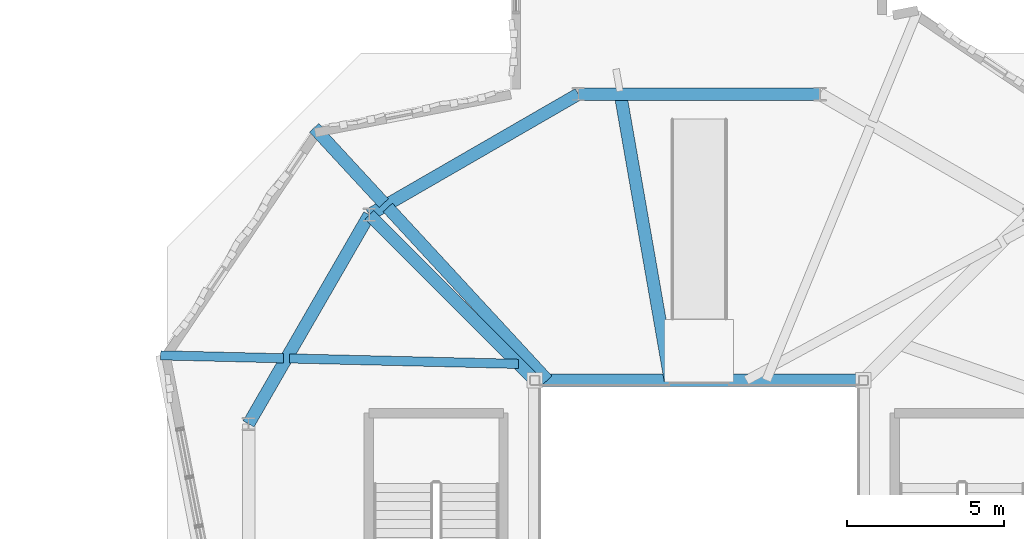
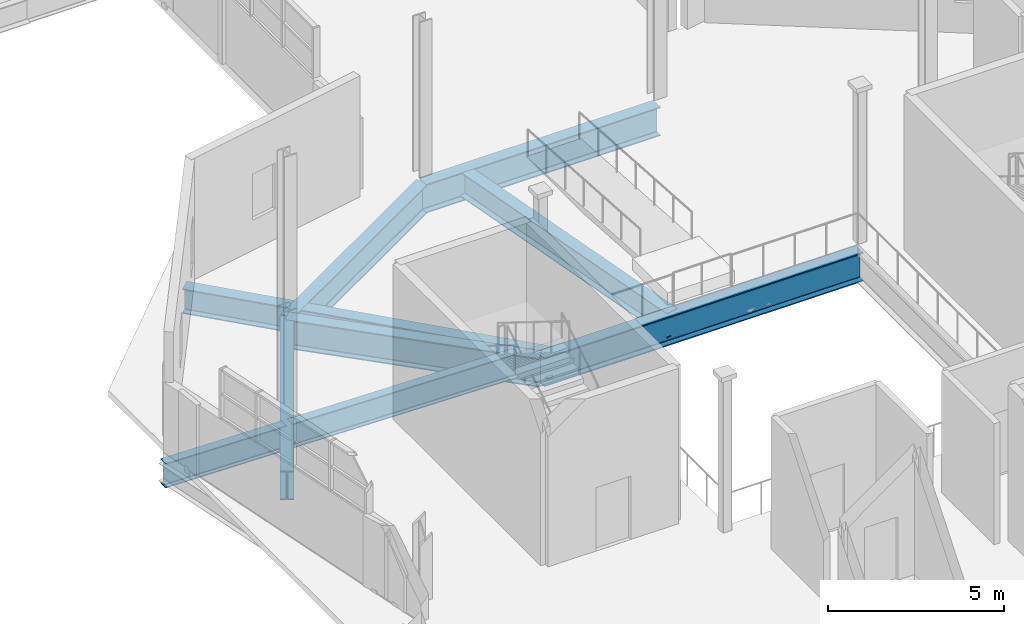
# One storey, part 41 of 142: 10 beams.
"""IFC4 building model written with IfcOpenShell, lengths in metres."""

from ifc_helpers import new_model, si_unit, direction, frame, origin, origin_2d, place, context, subcontext, project, spatial, i_section, extrude, material, material_profile, profile_set, type_object, element, save


model = new_model("IFC4")

# Units and contexts
model_context = context("Model", 3, precision=1e-05, world=origin(), true_north=direction((0.0, 1.0)))
body_context = subcontext(model_context, "Body", "Model", "MODEL_VIEW")
ifc_project = project(units=[si_unit("LENGTHUNIT", "METRE"), si_unit("AREAUNIT", "SQUARE_METRE"), si_unit("VOLUMEUNIT", "CUBIC_METRE"), si_unit("PLANEANGLEUNIT", "RADIAN"), si_unit("MASSUNIT", "GRAM", prefix="KILO"), si_unit("THERMODYNAMICTEMPERATUREUNIT", "KELVIN"), si_unit("POWERUNIT", "WATT")], contexts=[model_context])

# Site, building, storey
site_placement = place(None, origin())
site = spatial("IfcSite", under=ifc_project, at=site_placement, CompositionType="ELEMENT")
building_placement = place(site_placement, origin())
building = spatial("IfcBuilding", under=site, at=building_placement, Name="Zelmaris Science Centre", CompositionType="ELEMENT")
storey_placement = place(building_placement, frame((0.0, 0.0, 5.39990234375)))
storey = spatial("IfcBuildingStorey", under=building, at=storey_placement, Name="L01", CompositionType="ELEMENT", Elevation=5.39990234375)

# Beams
ifc_material = material(Name="Steel ASTM A992 Grade 50", Category="steel")
ifc_material_profile_1 = material_profile(ifc_material, i_section(OverallWidth=0.40087890625, OverallDepth=0.85595703125, WebThickness=0.018310546875, FlangeThickness=0.029296875, FilletRadius=0.02001953125, at=origin_2d()), Name="W33X201")
ifc_profile_set_1 = profile_set([ifc_material_profile_1], Name="Steel ASTM A992 Grade 50")
beam_type_1 = type_object("IfcBeamType", Name="Beam G-05 W33X201", PredefinedType="BEAM", material=ifc_profile_set_1)
beam_1_placement = place(storey_placement, frame((80.083251953125, 41.25, -0.727783203125), z_axis=(-0.172044420152, 0.98508919266, 0.0), x_axis=(-0.98508919266, -0.172044420152, 0.0)))
element("IfcBeam", 1, at=beam_1_placement, inside=storey, type_object=beam_type_1, Name="L01 Overhang back-span girder 8", PredefinedType="BEAM", context=body_context, shape_type="SweptSolid", body=[
    extrude(i_section(OverallWidth=0.40087890625, OverallDepth=0.85595703125, WebThickness=0.018310546875, FlangeThickness=0.029296875, FilletRadius=0.02001953125, at=origin_2d()), origin(), (0.0, 0.0, 1.0), 9.185546875),
])
ifc_material_profile_2 = material_profile(ifc_material, i_section(OverallWidth=0.294921875, OverallDepth=0.85107421875, WebThickness=0.01611328125, FlangeThickness=0.02685546875, FilletRadius=0.02001953125, at=origin_2d()), Name="W33X152")
ifc_profile_set_2 = profile_set([ifc_material_profile_2], Name="Steel ASTM A992 Grade 50")
beam_type_2 = type_object("IfcBeamType", Name="Beam G-06 W33X152", PredefinedType="BEAM", material=ifc_profile_set_2)
beam_2_placement = place(storey_placement, frame((75.226318359375, 41.773681640625, -0.725341796875), z_axis=(-0.999714552366, 0.023891709596, 0.0), x_axis=(-0.023891709596, -0.999714552366, 0.0)))
element("IfcBeam", 2, at=beam_2_placement, inside=storey, type_object=beam_type_2, Name="L01 Overhang back-span girder 10", PredefinedType="BEAM", context=body_context, shape_type="SweptSolid", body=[
    extrude(i_section(OverallWidth=0.294921875, OverallDepth=0.85107421875, WebThickness=0.01611328125, FlangeThickness=0.02685546875, FilletRadius=0.02001953125, at=origin_2d()), origin(), (0.0, 0.0, 1.0), 7.316650390625),
])
beam_3_placement = place(storey_placement, frame((67.721923828125, 41.953125, -0.725341796875), z_axis=(-0.999714448174, 0.023896068976, 0.0), x_axis=(-0.023896068976, -0.999714448174, 0.0)))
element("IfcBeam", 3, at=beam_3_placement, inside=storey, type_object=beam_type_2, Name="L01 Radial overhang girder 10", PredefinedType="BEAM", context=body_context, shape_type="SweptSolid", body=[
    extrude(i_section(OverallWidth=0.294921875, OverallDepth=0.85107421875, WebThickness=0.01611328125, FlangeThickness=0.02685546875, FilletRadius=0.02001953125, at=origin_2d()), origin(), (0.0, 0.0, 1.0), 3.92333984375),
])
ifc_material_profile_3 = material_profile(ifc_material, i_section(OverallWidth=0.40087890625, OverallDepth=1.0009765625, WebThickness=0.01904296875, FlangeThickness=0.0361328125, FilletRadius=0.02490234375, at=origin_2d()), Name="W40X249")
ifc_profile_set_3 = profile_set([ifc_material_profile_3], Name="Steel ASTM A992 Grade 50")
beam_type_3 = type_object("IfcBeamType", Name="Beam G-22 W40X249", PredefinedType="BEAM", material=ifc_profile_set_3)
for number, where, z_axis, x_axis, name in (
    (4, (84.8564453125, 50.392333984375, -0.80029296875), (-1.0, 0.0, 0.0), (0.0, -1.0, 0.0), "L01 Exhibition inner ring girder 3"),
    (5, (77.1435546875, 50.392333984375, -0.80029296875), (-0.866021648359, -0.500006504531, 0.0), (0.500006504531, -0.866021648359, 0.0), "L01 Exhibition inner ring girder 4"),
    (6, (70.464111328125, 46.535888671875, -0.80029296875), (-0.500006504531, -0.866021648359, 0.0), (0.866021648359, -0.500006504531, 0.0), "L01 Exhibition inner ring girder 5"),
):
    element("IfcBeam", number, at=place(storey_placement, frame(where, z_axis=z_axis, x_axis=x_axis)), inside=storey, type_object=beam_type_3, Name=name, PredefinedType="BEAM", context=body_context, shape_type="SweptSolid", body=[
        extrude(i_section(OverallWidth=0.40087890625, OverallDepth=1.0009765625, WebThickness=0.01904296875, FlangeThickness=0.0361328125, FilletRadius=0.02490234375, at=origin_2d()), origin(), (0.0, 0.0, 1.0), 7.712890625),
    ])
beam_4_placement = place(storey_placement, frame((86.25, 41.25, -0.80029296875), z_axis=(-1.0, 0.0, 0.0), x_axis=(0.0, -1.0, 0.0)))
element("IfcBeam", 7, at=beam_4_placement, inside=storey, type_object=beam_type_3, Name="L01 Atrium framing girder 3", PredefinedType="BEAM", context=body_context, shape_type="SweptSolid", body=[
    extrude(i_section(OverallWidth=0.40087890625, OverallDepth=1.0009765625, WebThickness=0.01904296875, FlangeThickness=0.0361328125, FilletRadius=0.02490234375, at=origin_2d()), origin(), (0.0, 0.0, 1.0), 10.5),
])
beam_5_placement = place(storey_placement, frame((75.75, 41.25, -0.80029296875), z_axis=(-0.707106781187, 0.707106781187, 0.0), x_axis=(-0.707106781187, -0.707106781187, 0.0)))
element("IfcBeam", 8, at=beam_5_placement, inside=storey, type_object=beam_type_3, Name="L01 Atrium diagonal header girder 4", PredefinedType="BEAM", context=body_context, shape_type="SweptSolid", body=[
    extrude(i_section(OverallWidth=0.40087890625, OverallDepth=1.0009765625, WebThickness=0.01904296875, FlangeThickness=0.0361328125, FilletRadius=0.02490234375, at=origin_2d()), origin(), (0.0, 0.0, 1.0), 7.475341796875),
])
ifc_material_profile_4 = material_profile(ifc_material, i_section(OverallWidth=0.404052734375, OverallDepth=0.861083984375, WebThickness=0.019775390625, FlangeThickness=0.032470703125, FilletRadius=0.02001953125, at=origin_2d()), Name="W33X221")
ifc_profile_set_4 = profile_set([ifc_material_profile_4], Name="Steel ASTM A992 Grade 50")
beam_type_4 = type_object("IfcBeamType", Name="Beam G-28 W33X221", PredefinedType="BEAM", material=ifc_profile_set_4)
beam_6_placement = place(storey_placement, frame((76.151611328125, 41.25, -0.73046875), z_axis=(-0.678456883347, 0.734640223129, 0.0), x_axis=(-0.734640223129, -0.678456883347, 0.0)))
element("IfcBeam", 9, at=beam_6_placement, inside=storey, type_object=beam_type_4, Name="L01 Overhang back-span girder 9", PredefinedType="BEAM", context=body_context, shape_type="SweptSolid", body=[
    extrude(i_section(OverallWidth=0.404052734375, OverallDepth=0.861083984375, WebThickness=0.019775390625, FlangeThickness=0.032470703125, FilletRadius=0.02001953125, at=origin_2d()), origin(), (0.0, 0.0, 1.0), 7.51318359375),
])
beam_7_placement = place(storey_placement, frame((70.92529296875, 46.9091796875, -0.73046875), z_axis=(-0.678453414297, 0.73464342686, 0.0), x_axis=(-0.73464342686, -0.678453414297, 0.0)))
element("IfcBeam", 10, at=beam_7_placement, inside=storey, type_object=beam_type_4, Name="L01 Radial overhang girder 9", PredefinedType="BEAM", context=body_context, shape_type="SweptSolid", body=[
    extrude(i_section(OverallWidth=0.404052734375, OverallDepth=0.861083984375, WebThickness=0.019775390625, FlangeThickness=0.032470703125, FilletRadius=0.02001953125, at=origin_2d()), origin(), (0.0, 0.0, 1.0), 3.276123046875),
])

save(model, "model.ifc")
